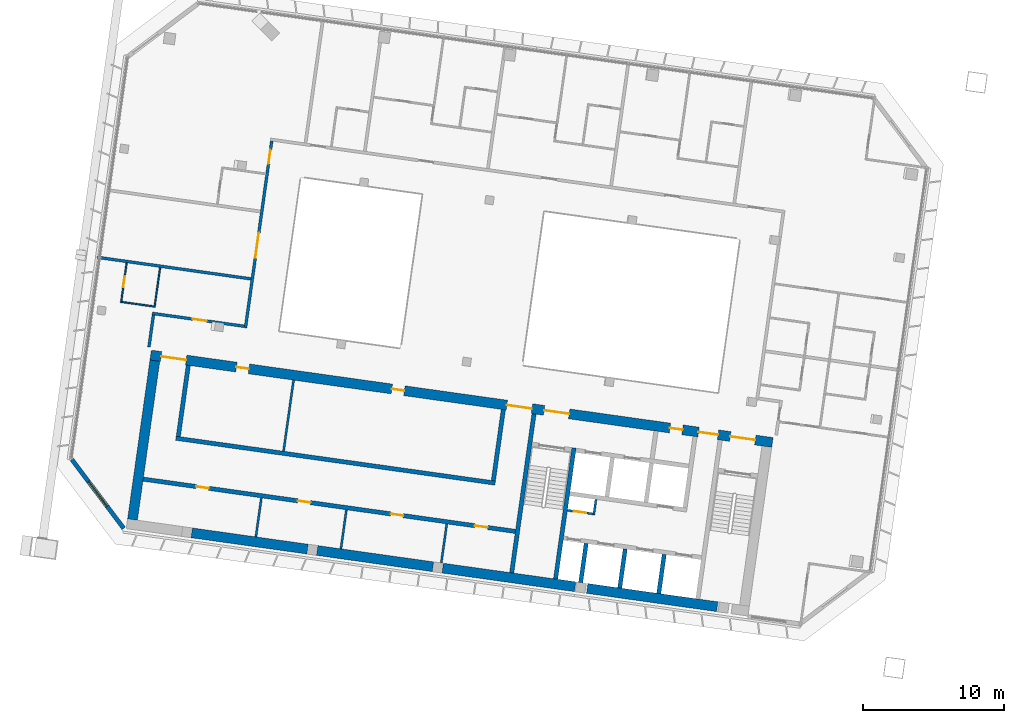
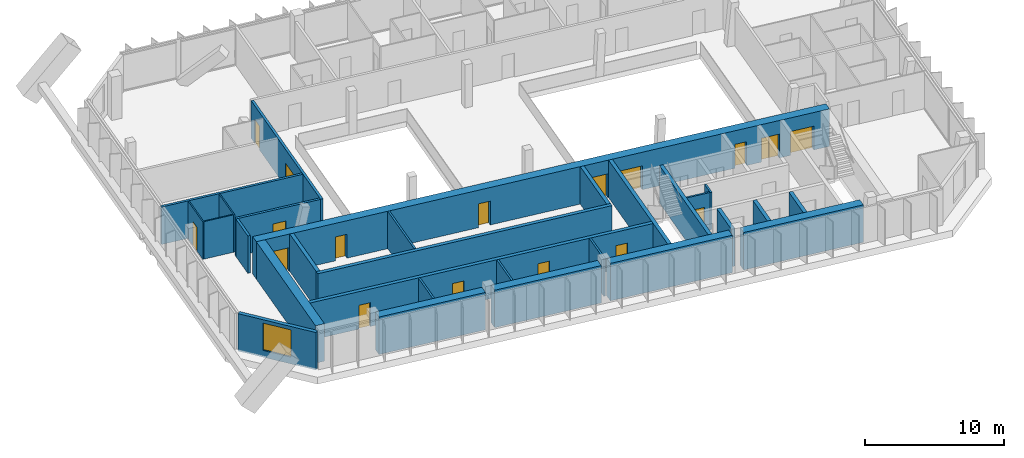
# One storey, part 16 of 29: 29 walls, 17 doors, 1 window, 18 openings.
"""IFC4 building model written with IfcOpenShell, lengths in metres."""

from ifc_helpers import new_model, si_unit, direction, frame, frame_2d, origin, place, context, subcontext, project, spatial, rectangle, extrude, material, layer, layer_set, type_object, element, fill, save


model = new_model("IFC4")

# Units and contexts
model_context = context("Model", 3, precision=1e-05, world=origin(), true_north=direction((0.0, 1.0)))
body_context = subcontext(model_context, "Body", "Model", "MODEL_VIEW")
ifc_project = project(units=[si_unit("LENGTHUNIT", "METRE"), si_unit("AREAUNIT", "SQUARE_METRE"), si_unit("VOLUMEUNIT", "CUBIC_METRE"), si_unit("PLANEANGLEUNIT", "RADIAN"), si_unit("MASSUNIT", "GRAM", prefix="KILO")], contexts=[model_context])

# Site, building, storey
site_placement = place(None, origin())
site = spatial("IfcSite", under=ifc_project, at=site_placement, CompositionType="ELEMENT")
building_placement = place(site_placement, origin())
building = spatial("IfcBuilding", under=site, at=building_placement, Name="Mirante Cascada Hotel Towers", CompositionType="ELEMENT")
storey_placement = place(building_placement, frame((0.0, 0.0, 206.8)))
storey = spatial("IfcBuildingStorey", under=building, at=storey_placement, Name="L49", CompositionType="ELEMENT", Elevation=206.8)

# Wall, opening, door
ifc_material_1 = material(Name="Fire-rated plasterboard on metal studs")
ifc_layer_1 = layer(ifc_material_1, 0.2)
ifc_layer_set_1 = layer_set([ifc_layer_1], Name="Compartment wall 200 EI 120")
wall_type_1 = type_object("IfcWallType", Name="Compartment wall 200 EI 120", PredefinedType="PARTITIONING", material=ifc_layer_set_1)
wall_1_placement = place(storey_placement, frame((-73.0547, 0.6175, 0.0), z_axis=(0.0, 0.0, 1.0), x_axis=(-0.990267, 0.139181, 0.0)))
wall_1 = element("IfcWall", 1, at=wall_1_placement, inside=storey, type_object=wall_type_1, Name="Wall 1-L49-04", PredefinedType="PARTITIONING", context=body_context, shape_type="SweptSolid", body=[
    extrude(rectangle(XDim=6.6, YDim=0.2, at=frame_2d((3.3, 0.0))), origin(), (0.0, 0.0, 1.0), 3.3),
])
opening_1_placement = place(wall_1_placement, frame((2.7, 0.0, 0.0)))
opening_1 = element("IfcOpeningElement", 2, at=opening_1_placement, cuts=wall_1, Name="Opening D1-L49-04", PredefinedType="OPENING", context=body_context, shape_type="SweptSolid", body=[
    extrude(rectangle(XDim=1.0, YDim=2.1, at=frame_2d((0.5, 1.05))), frame((0.0, 0.1, 0.0), z_axis=(0.0, -1.0, 0.0), x_axis=(1.0, 0.0, 0.0)), (0.0, 0.0, 1.0), 0.2),
])
ifc_material_2 = material(Name="Fire-rated timber door leaf", Category="wood")
door_type_1 = type_object("IfcDoorType", Name="Entrance door DG1 1000x2100 EI 60", OperationType="SINGLE_SWING_LEFT", PredefinedType="DOOR", material=ifc_material_2)
door_1_placement = place(opening_1_placement, origin())
door_1 = element("IfcDoor", 3, at=door_1_placement, inside=storey, type_object=door_type_1, Name="Door D1-L49-04", OperationType="SINGLE_SWING_LEFT", OverallHeight=2.1, OverallWidth=1.0, PredefinedType="DOOR", context=body_context, shape_type="SweptSolid", body=[
    extrude(rectangle(XDim=1.0, YDim=2.1, at=frame_2d((0.5, 1.05))), frame((0.0, 0.025, 0.0), z_axis=(0.0, -1.0, 0.0), x_axis=(1.0, 0.0, 0.0)), (0.0, 0.0, 1.0), 0.05),
])
fill(opening_1, door_1)

# Wall
wall_2_placement = place(storey_placement, frame((-83.4745, 5.5153, 0.0), z_axis=(0.0, 0.0, 1.0), x_axis=(0.9902682, -0.1391721, 0.0)))
element("IfcWall", 4, at=wall_2_placement, inside=storey, type_object=wall_type_1, Name="Wall 1-L49-09", PredefinedType="PARTITIONING", context=body_context, shape_type="SweptSolid", body=[
    extrude(rectangle(XDim=11.0001, YDim=0.2, at=frame_2d((5.5, 0.0))), origin(), (0.0, 0.0, 1.0), 3.3),
])

# Wall, openings, doors
wall_3_placement = place(storey_placement, frame((-72.9696, 0.5046, 0.0), z_axis=(0.0, 0.0, 1.0), x_axis=(0.1391716, 0.9902683, 0.0)))
wall_3 = element("IfcWall", 5, at=wall_3_placement, inside=storey, type_object=wall_type_1, Name="Wall 1-L49-46", PredefinedType="PARTITIONING", context=body_context, shape_type="SweptSolid", body=[
    extrude(rectangle(XDim=13.4, YDim=0.2, at=frame_2d((6.7, 0.0))), origin(), (0.0, 0.0, 1.0), 3.3),
])
opening_2_placement = place(wall_3_placement, frame((5.0167, 0.0, 0.0)))
opening_2 = element("IfcOpeningElement", 6, at=opening_2_placement, cuts=wall_3, Name="Opening D1-L49-29", PredefinedType="OPENING", context=body_context, shape_type="SweptSolid", body=[
    extrude(rectangle(XDim=1.8, YDim=2.1, at=frame_2d((0.9, 1.05))), frame((0.0, 0.1, 0.0), z_axis=(0.0, -1.0, 0.0), x_axis=(1.0, 0.0, 0.0)), (0.0, 0.0, 1.0), 0.2),
])
opening_3_placement = place(wall_3_placement, frame((11.7667, 0.0, 0.0)))
opening_3 = element("IfcOpeningElement", 7, at=opening_3_placement, cuts=wall_3, Name="Opening D1-L49-30", PredefinedType="OPENING", context=body_context, shape_type="SweptSolid", body=[
    extrude(rectangle(XDim=1.0, YDim=2.1, at=frame_2d((0.5, 1.05))), frame((0.0, 0.1, 0.0), z_axis=(0.0, -1.0, 0.0), x_axis=(1.0, 0.0, 0.0)), (0.0, 0.0, 1.0), 0.2),
])
door_2_placement = place(opening_3_placement, origin())
door_2 = element("IfcDoor", 8, at=door_2_placement, inside=storey, type_object=door_type_1, Name="Door D1-L49-30", OperationType="SINGLE_SWING_LEFT", OverallHeight=2.1, OverallWidth=1.0, PredefinedType="DOOR", context=body_context, shape_type="SweptSolid", body=[
    extrude(rectangle(XDim=1.0, YDim=2.1, at=frame_2d((0.5, 1.05))), frame((0.0, 0.025, 0.0), z_axis=(0.0, -1.0, 0.0), x_axis=(1.0, 0.0, 0.0)), (0.0, 0.0, 1.0), 0.05),
])
fill(opening_3, door_2)
ifc_material_3 = material(Name="Fire-rated timber door leaf", Category="wood")
door_type_2 = type_object("IfcDoorType", Name="Suite double door DG2 1800x2100 EI 60", OperationType="DOUBLE_DOOR_SINGLE_SWING", PredefinedType="DOOR", material=ifc_material_3)
door_3_placement = place(opening_2_placement, origin())
door_3 = element("IfcDoor", 9, at=door_3_placement, inside=storey, type_object=door_type_2, Name="Door D1-L49-29", OperationType="DOUBLE_DOOR_SINGLE_SWING", OverallHeight=2.1, OverallWidth=1.8, PredefinedType="DOOR", context=body_context, shape_type="SweptSolid", body=[
    extrude(rectangle(XDim=0.895, YDim=2.1, at=frame_2d((0.4475, 1.05))), frame((0.0, 0.025, 0.0), z_axis=(0.0, -1.0, 0.0), x_axis=(1.0, 0.0, 0.0)), (0.0, 0.0, 1.0), 0.05),
    extrude(rectangle(XDim=0.895, YDim=2.1, at=frame_2d((1.3525, 1.05))), frame((0.0, 0.025, 0.0), z_axis=(0.0, -1.0, 0.0), x_axis=(1.0, 0.0, 0.0)), (0.0, 0.0, 1.0), 0.05),
])
fill(opening_2, door_3)

# Walls
wall_4_placement = place(storey_placement, frame((-79.8255, -0.8545, 0.0), z_axis=(0.0, 0.0, 1.0), x_axis=(0.1391749, 0.9902678, 0.0)))
element("IfcWall", 10, at=wall_4_placement, inside=storey, type_object=wall_type_1, Name="Wall 1-L49-48", PredefinedType="PARTITIONING", context=body_context, shape_type="SweptSolid", body=[
    extrude(rectangle(XDim=2.3, YDim=0.2, at=frame_2d((1.15, 0.0))), origin(), (0.0, 0.0, 1.0), 3.3),
])
ifc_material_4 = material(Name="Masonry block", Category="masonry")
ifc_layer_2 = layer(ifc_material_4, 0.15)
ifc_layer_set_2 = layer_set([ifc_layer_2], Name="Core room partition 150 block EI 30")
wall_type_2 = type_object("IfcWallType", Name="Core room partition 150 block EI 30", PredefinedType="PARTITIONING", material=ifc_layer_set_2)
wall_5_placement = place(storey_placement, frame((-48.2295, -12.793, 0.0), z_axis=(0.0, 0.0, 1.0), x_axis=(0.1391935, 0.9902652, 0.0)))
element("IfcWall", 11, at=wall_5_placement, inside=storey, type_object=wall_type_2, Name="Core wall partition T1 L49 2", PredefinedType="PARTITIONING", context=body_context, shape_type="SweptSolid", body=[
    extrude(rectangle(XDim=1.1251, YDim=0.15, at=frame_2d((0.5626, 0.0))), origin(), (0.0, 0.0, 1.0), 3.3),
])

# Wall, opening, door
wall_6_placement = place(storey_placement, frame((-48.2933, -12.7083, 0.0), z_axis=(0.0, 0.0, 1.0), x_axis=(-0.990268, 0.1391734, 0.0)))
wall_6 = element("IfcWall", 12, at=wall_6_placement, inside=storey, type_object=wall_type_2, Name="Core wall partition T1 L49 3", PredefinedType="PARTITIONING", context=body_context, shape_type="SweptSolid", body=[
    extrude(rectangle(XDim=1.8251, YDim=0.15, at=frame_2d((0.9126, 0.0))), origin(), (0.0, 0.0, 1.0), 3.3),
])
opening_4_placement = place(wall_6_placement, frame((0.4625, 0.0, 0.0)))
opening_4 = element("IfcOpeningElement", 13, at=opening_4_placement, cuts=wall_6, Name="Opening D1-49-C15", PredefinedType="OPENING", context=body_context, shape_type="SweptSolid", body=[
    extrude(rectangle(XDim=0.9, YDim=2.1, at=frame_2d((0.45, 1.05))), frame((0.0, 0.075, 0.0), z_axis=(0.0, -1.0, 0.0), x_axis=(1.0, 0.0, 0.0)), (0.0, 0.0, 1.0), 0.15),
])
ifc_material_5 = material(Name="Hollow metal fire door leaf")
door_type_3 = type_object("IfcDoorType", Name="Fire door 900x2100 FD60", OperationType="NOTDEFINED", PredefinedType="DOOR", material=ifc_material_5)
door_4_placement = place(opening_4_placement, origin())
door_4 = element("IfcDoor", 14, at=door_4_placement, inside=storey, type_object=door_type_3, Name="Riser door T1 L49 15", OperationType="SINGLE_SWING_LEFT", OverallHeight=2.1, OverallWidth=0.9, PredefinedType="DOOR", context=body_context, shape_type="SweptSolid", body=[
    extrude(rectangle(XDim=0.9, YDim=2.1, at=frame_2d((0.45, 1.05))), frame((0.0, 0.025, 0.0), z_axis=(0.0, -1.0, 0.0), x_axis=(1.0, 0.0, 0.0)), (0.0, 0.0, 1.0), 0.05),
])
fill(opening_4, door_4)

# Walls
for number, where, z_axis, x_axis, name in (
    (15, (-59.0582, -16.194, 0.0), (0.0, 0.0, 1.0), (0.139181, 0.990267, 0.0), "Core wall partition T1 L49 5"),
    (16, (-66.1881, -15.192, 0.0), (0.0, 0.0, 1.0), (0.139141, 0.9902726, 0.0), "Core wall partition T1 L49 6"),
    (17, (-72.2288, -14.343, 0.0), (0.0, 0.0, 1.0), (0.139181, 0.990267, 0.0), "Core wall partition T1 L49 7"),
):
    element("IfcWall", number, at=place(storey_placement, frame(where, z_axis=z_axis, x_axis=x_axis)), inside=storey, type_object=wall_type_2, Name=name, PredefinedType="PARTITIONING", context=body_context, shape_type="SweptSolid", body=[
        extrude(rectangle(XDim=2.8, YDim=0.15, at=frame_2d((1.4, 0.0))), origin(), (0.0, 0.0, 1.0), 3.3),
    ])
wall_7_placement = place(storey_placement, frame((-70.2627, -8.2574, 0.0), z_axis=(0.0, 0.0, 1.0), x_axis=(0.1391755, 0.9902677, 0.0)))
element("IfcWall", 18, at=wall_7_placement, inside=storey, type_object=wall_type_2, Name="Core wall partition T1 L49 8", PredefinedType="PARTITIONING", context=body_context, shape_type="SweptSolid", body=[
    extrude(rectangle(XDim=5.1, YDim=0.15, at=frame_2d((2.55, 0.0))), origin(), (0.0, 0.0, 1.0), 3.3),
])

# Wall, openings, doors
ifc_material_6 = material(Name="Masonry block", Category="masonry")
ifc_layer_3 = layer(ifc_material_6, 0.3)
ifc_layer_set_3 = layer_set([ifc_layer_3], Name="Core wall 300 block EI 120")
wall_type_3 = type_object("IfcWallType", Name="Core wall 300 block EI 120", PredefinedType="PARTITIONING", material=ifc_layer_set_3)
wall_8_placement = place(storey_placement, frame((-53.7953, -13.9547, 0.0), z_axis=(0.0, 0.0, 1.0), x_axis=(-0.9902677, 0.1391758, 0.0)))
wall_8 = element("IfcWall", 19, at=wall_8_placement, inside=storey, type_object=wall_type_3, Name="Core wall partition T1 L49 4", PredefinedType="PARTITIONING", context=body_context, shape_type="SweptSolid", body=[
    extrude(rectangle(XDim=26.7001, YDim=0.3, at=frame_2d((13.35, 0.0))), origin(), (0.0, 0.0, 1.0), 3.3),
])
opening_5_placement = place(wall_8_placement, frame((2.0, 0.0, 0.0)))
opening_5 = element("IfcOpeningElement", 20, at=opening_5_placement, cuts=wall_8, Name="Opening D1-49-C17", PredefinedType="OPENING", context=body_context, shape_type="SweptSolid", body=[
    extrude(rectangle(XDim=0.9, YDim=2.1, at=frame_2d((0.45, 1.05))), frame((0.0, 0.15, 0.0), z_axis=(0.0, -1.0, 0.0), x_axis=(1.0, 0.0, 0.0)), (0.0, 0.0, 1.0), 0.3),
])
opening_6_placement = place(wall_8_placement, frame((8.05, 0.0, 0.0)))
opening_6 = element("IfcOpeningElement", 21, at=opening_6_placement, cuts=wall_8, Name="Opening D1-49-C18", PredefinedType="OPENING", context=body_context, shape_type="SweptSolid", body=[
    extrude(rectangle(XDim=0.9, YDim=2.1, at=frame_2d((0.45, 1.05))), frame((0.0, 0.15, 0.0), z_axis=(0.0, -1.0, 0.0), x_axis=(1.0, 0.0, 0.0)), (0.0, 0.0, 1.0), 0.3),
])
opening_7_placement = place(wall_8_placement, frame((14.7, 0.0, 0.0)))
opening_7 = element("IfcOpeningElement", 22, at=opening_7_placement, cuts=wall_8, Name="Opening D1-49-C19", PredefinedType="OPENING", context=body_context, shape_type="SweptSolid", body=[
    extrude(rectangle(XDim=0.9, YDim=2.1, at=frame_2d((0.45, 1.05))), frame((0.0, 0.15, 0.0), z_axis=(0.0, -1.0, 0.0), x_axis=(1.0, 0.0, 0.0)), (0.0, 0.0, 1.0), 0.3),
])
opening_8_placement = place(wall_8_placement, frame((22.0, 0.0, 0.0)))
opening_8 = element("IfcOpeningElement", 23, at=opening_8_placement, cuts=wall_8, Name="Opening D1-49-C20", PredefinedType="OPENING", context=body_context, shape_type="SweptSolid", body=[
    extrude(rectangle(XDim=0.9, YDim=2.1, at=frame_2d((0.45, 1.05))), frame((0.0, 0.15, 0.0), z_axis=(0.0, -1.0, 0.0), x_axis=(1.0, 0.0, 0.0)), (0.0, 0.0, 1.0), 0.3),
])
door_5_placement = place(opening_5_placement, origin())
door_5 = element("IfcDoor", 24, at=door_5_placement, inside=storey, type_object=door_type_3, Name="Room door T1 L49 17", OperationType="SINGLE_SWING_RIGHT", OverallHeight=2.1, OverallWidth=0.9, PredefinedType="DOOR", context=body_context, shape_type="SweptSolid", body=[
    extrude(rectangle(XDim=0.9, YDim=2.1, at=frame_2d((0.45, 1.05))), frame((0.0, 0.025, 0.0), z_axis=(0.0, -1.0, 0.0), x_axis=(1.0, 0.0, 0.0)), (0.0, 0.0, 1.0), 0.05),
])
fill(opening_5, door_5)
door_6_placement = place(opening_6_placement, origin())
door_6 = element("IfcDoor", 25, at=door_6_placement, inside=storey, type_object=door_type_3, Name="Room door T1 L49 18", OperationType="SINGLE_SWING_RIGHT", OverallHeight=2.1, OverallWidth=0.9, PredefinedType="DOOR", context=body_context, shape_type="SweptSolid", body=[
    extrude(rectangle(XDim=0.9, YDim=2.1, at=frame_2d((0.45, 1.05))), frame((0.0, 0.025, 0.0), z_axis=(0.0, -1.0, 0.0), x_axis=(1.0, 0.0, 0.0)), (0.0, 0.0, 1.0), 0.05),
])
fill(opening_6, door_6)
door_7_placement = place(opening_7_placement, origin())
door_7 = element("IfcDoor", 26, at=door_7_placement, inside=storey, type_object=door_type_3, Name="Room door T1 L49 19", OperationType="SINGLE_SWING_LEFT", OverallHeight=2.1, OverallWidth=0.9, PredefinedType="DOOR", context=body_context, shape_type="SweptSolid", body=[
    extrude(rectangle(XDim=0.9, YDim=2.1, at=frame_2d((0.45, 1.05))), frame((0.0, 0.025, 0.0), z_axis=(0.0, -1.0, 0.0), x_axis=(1.0, 0.0, 0.0)), (0.0, 0.0, 1.0), 0.05),
])
fill(opening_7, door_7)
door_8_placement = place(opening_8_placement, origin())
door_8 = element("IfcDoor", 27, at=door_8_placement, inside=storey, type_object=door_type_3, Name="Room door T1 L49 20", OperationType="SINGLE_SWING_LEFT", OverallHeight=2.1, OverallWidth=0.9, PredefinedType="DOOR", context=body_context, shape_type="SweptSolid", body=[
    extrude(rectangle(XDim=0.9, YDim=2.1, at=frame_2d((0.45, 1.05))), frame((0.0, 0.025, 0.0), z_axis=(0.0, -1.0, 0.0), x_axis=(1.0, 0.0, 0.0)), (0.0, 0.0, 1.0), 0.05),
])
fill(opening_8, door_8)

# Walls
ifc_material_7 = material(Name="Plasterboard on metal studs")
ifc_layer_4 = layer(ifc_material_7, 0.1)
ifc_layer_set_4 = layer_set([ifc_layer_4], Name="Partition 100")
wall_type_4 = type_object("IfcWallType", Name="Partition 100", PredefinedType="PARTITIONING", material=ifc_layer_set_4)
wall_9_placement = place(storey_placement, frame((-81.749, 2.3443, 0.0), z_axis=(0.0, 0.0, 1.0), x_axis=(0.9902678, -0.1391749, 0.0)))
element("IfcWall", 28, at=wall_9_placement, inside=storey, type_object=wall_type_4, Name="Wall 1-L49-05", PredefinedType="PARTITIONING", context=body_context, shape_type="SweptSolid", body=[
    extrude(rectangle(XDim=2.3, YDim=0.1, at=frame_2d((1.15, 0.0))), origin(), (0.0, 0.0, 1.0), 3.3),
])
wall_10_placement = place(storey_placement, frame((-79.0322, 4.79, 0.0), z_axis=(0.0, 0.0, 1.0), x_axis=(-0.1391613, -0.9902697, 0.0)))
element("IfcWall", 29, at=wall_10_placement, inside=storey, type_object=wall_type_4, Name="Wall 1-L49-49", PredefinedType="PARTITIONING", context=body_context, shape_type="SweptSolid", body=[
    extrude(rectangle(XDim=2.8499, YDim=0.1, at=frame_2d((1.425, 0.0))), origin(), (0.0, 0.0, 1.0), 3.3),
])

# Wall, opening, door
wall_11_placement = place(storey_placement, frame((-81.8055, 2.3018, 0.0), z_axis=(0.0, 0.0, 1.0), x_axis=(0.1391909, 0.9902656, 0.0)))
wall_11 = element("IfcWall", 30, at=wall_11_placement, inside=storey, type_object=wall_type_4, Name="Wall 1-L49-50", PredefinedType="PARTITIONING", context=body_context, shape_type="SweptSolid", body=[
    extrude(rectangle(XDim=2.85, YDim=0.1, at=frame_2d((1.425, 0.0))), origin(), (0.0, 0.0, 1.0), 3.3),
])
opening_9_placement = place(wall_11_placement, frame((1.1, 0.0, 0.0)))
opening_9 = element("IfcOpeningElement", 31, at=opening_9_placement, cuts=wall_11, Name="Opening D1-L49-32", PredefinedType="OPENING", context=body_context, shape_type="SweptSolid", body=[
    extrude(rectangle(XDim=0.8, YDim=2.1, at=frame_2d((0.4, 1.05))), frame((0.0, 0.05, 0.0), z_axis=(0.0, -1.0, 0.0), x_axis=(1.0, 0.0, 0.0)), (0.0, 0.0, 1.0), 0.1),
])
ifc_material_8 = material(Name="Timber door leaf", Category="wood")
door_type_4 = type_object("IfcDoorType", Name="Bathroom door DG4 800x2100", OperationType="SINGLE_SWING_LEFT", PredefinedType="DOOR", material=ifc_material_8)
door_9_placement = place(opening_9_placement, frame((0.8, 0.0, 0.0), z_axis=(0.0, 0.0, 1.0), x_axis=(-1.0, 0.0, 0.0)))
door_9 = element("IfcDoor", 32, at=door_9_placement, inside=storey, type_object=door_type_4, Name="Door D1-L49-32", OperationType="SINGLE_SWING_RIGHT", OverallHeight=2.1, OverallWidth=0.8, PredefinedType="DOOR", context=body_context, shape_type="SweptSolid", body=[
    extrude(rectangle(XDim=0.8, YDim=2.1, at=frame_2d((0.4, 1.05))), frame((0.0, 0.025, 0.0), z_axis=(0.0, -1.0, 0.0), x_axis=(1.0, 0.0, 0.0)), (0.0, 0.0, 1.0), 0.05),
])
fill(opening_9, door_9)

# Wall, opening, window
ifc_material_9 = material(Name="Precast concrete C40/50", Category="concrete")
ifc_layer_5 = layer(ifc_material_9, 0.3)
ifc_layer_set_5 = layer_set([ifc_layer_5], Name="Precast concrete C40/50 cladding wall 300")
wall_type_5 = type_object("IfcWallType", Name="Precast concrete C40/50 cladding wall 300", PredefinedType="STANDARD", material=ifc_layer_set_5)
wall_12_placement = place(storey_placement, frame((-81.6175, -13.7366, 0.0), z_axis=(0.0, 0.0, 1.0), x_axis=(-0.6018141, 0.7986362, 0.0)))
wall_12 = element("IfcWall", 33, at=wall_12_placement, inside=storey, type_object=wall_type_5, Name="Corner cladding wall T1 L49 rear outer", PredefinedType="STANDARD", context=body_context, shape_type="SweptSolid", body=[
    extrude(rectangle(XDim=6.1157, YDim=0.3, at=frame_2d((3.0578, 0.0))), origin(), (0.0, 0.0, 1.0), 3.3),
])
opening_10_placement = place(wall_12_placement, frame((1.9578, 0.0, 0.6)))
opening_10 = element("IfcOpeningElement", 34, at=opening_10_placement, cuts=wall_12, Name="Opening W1-49-02", PredefinedType="OPENING", context=body_context, shape_type="SweptSolid", body=[
    extrude(rectangle(XDim=2.2, YDim=2.4, at=frame_2d((1.1, 1.2))), frame((0.0, 0.15, 0.0), z_axis=(0.0, -1.0, 0.0), x_axis=(1.0, 0.0, 0.0)), (0.0, 0.0, 1.0), 0.3),
])
ifc_material_10 = material(Name="Aluminium frame with clear double glazing", Category="aluminium")
window_type = type_object("IfcWindowType", Name="Corner suite window 2200x2400", PartitioningType="DOUBLE_PANEL_VERTICAL", PredefinedType="WINDOW", material=ifc_material_10)
window_placement = place(opening_10_placement, origin())
window = element("IfcWindow", 35, at=window_placement, inside=storey, type_object=window_type, Name="Window W1-49-02", OverallHeight=2.4, OverallWidth=2.2, PartitioningType="SINGLE_PANEL", PredefinedType="WINDOW", context=body_context, shape_type="SweptSolid", body=[
    extrude(rectangle(XDim=2.2, YDim=2.4, at=frame_2d((1.1, 1.2))), frame((0.0, 0.03, 0.0), z_axis=(0.0, -1.0, 0.0), x_axis=(1.0, 0.0, 0.0)), (0.0, 0.0, 1.0), 0.06),
])
fill(opening_10, window)

# Walls
ifc_material_11 = material(Name="Concrete C50/60", Category="concrete")
ifc_layer_6 = layer(ifc_material_11, 0.3)
ifc_layer_set_6 = layer_set([ifc_layer_6], Name="RC core wall 300 C50/60")
wall_type_6 = type_object("IfcWallType", Name="RC core wall 300 C50/60", PredefinedType="SHEAR", material=ifc_layer_set_6)
wall_13_placement = place(storey_placement, frame((-50.938, -17.3352, 0.0), z_axis=(0.0, 0.0, 1.0), x_axis=(0.1391706, 0.9902684, 0.0)))
element("IfcWall", 36, at=wall_13_placement, inside=storey, type_object=wall_type_6, Name="Core wall T1:L49:6", PredefinedType="SHEAR", context=body_context, shape_type="SweptSolid", body=[
    extrude(rectangle(XDim=9.4, YDim=0.3, at=frame_2d((4.7, 0.0))), origin(), (0.0, 0.0, 1.0), 3.3),
])
wall_14_placement = place(storey_placement, frame((-54.0574, -16.8968, 0.0), z_axis=(0.0, 0.0, 1.0), x_axis=(0.1391761, 0.9902677, 0.0)))
element("IfcWall", 37, at=wall_14_placement, inside=storey, type_object=wall_type_6, Name="Core wall T1:L49:7", PredefinedType="SHEAR", context=body_context, shape_type="SweptSolid", body=[
    extrude(rectangle(XDim=11.3999, YDim=0.3, at=frame_2d((5.7, 0.0))), origin(), (0.0, 0.0, 1.0), 3.3),
])
wall_15_placement = place(storey_placement, frame((-43.61, -18.3651, 0.0), z_axis=(0.0, 0.0, 1.0), x_axis=(0.1391459, 0.9902719, 0.0)))
element("IfcWall", 38, at=wall_15_placement, inside=storey, type_object=wall_type_6, Name="Core wall T1:L49:13", PredefinedType="SHEAR", context=body_context, shape_type="SweptSolid", body=[
    extrude(rectangle(XDim=2.7999, YDim=0.3, at=frame_2d((1.4, 0.0))), origin(), (0.0, 0.0, 1.0), 3.3),
])
wall_16_placement = place(storey_placement, frame((-46.3828, -17.9754, 0.0), z_axis=(0.0, 0.0, 1.0), x_axis=(0.139181, 0.990267, 0.0)))
element("IfcWall", 39, at=wall_16_placement, inside=storey, type_object=wall_type_6, Name="Core wall T1:L49:14", PredefinedType="SHEAR", context=body_context, shape_type="SweptSolid", body=[
    extrude(rectangle(XDim=2.8, YDim=0.3, at=frame_2d((1.4, 0.0))), origin(), (0.0, 0.0, 1.0), 3.3),
])
wall_17_placement = place(storey_placement, frame((-49.1555, -17.5857, 0.0), z_axis=(0.0, 0.0, 1.0), x_axis=(0.1391459, 0.9902719, 0.0)))
element("IfcWall", 40, at=wall_17_placement, inside=storey, type_object=wall_type_6, Name="Core wall T1:L49:15", PredefinedType="SHEAR", context=body_context, shape_type="SweptSolid", body=[
    extrude(rectangle(XDim=2.7999, YDim=0.3, at=frame_2d((1.4, 0.0))), origin(), (0.0, 0.0, 1.0), 3.3),
])
wall_18_placement = place(storey_placement, frame((-55.2315, -10.5214, 0.0), z_axis=(0.0, 0.0, 1.0), x_axis=(-0.9902678, 0.1391749, 0.0)))
element("IfcWall", 41, at=wall_18_placement, inside=storey, type_object=wall_type_6, Name="Core wall T1:L49:26", PredefinedType="SHEAR", context=body_context, shape_type="SweptSolid", body=[
    extrude(rectangle(XDim=22.9, YDim=0.3, at=frame_2d((11.45, 0.0))), origin(), (0.0, 0.0, 1.0), 3.3),
])
for number, where, z_axis, x_axis, name in (
    (42, (-55.3592, -10.352, 0.0), (0.0, 0.0, 1.0), (0.1391755, 0.9902677, 0.0), "Core wall T1:L49:27"),
    (43, (-77.7392, -7.2067, 0.0), (0.0, 0.0, 1.0), (0.1391755, 0.9902677, 0.0), "Core wall T1:L49:28"),
):
    element("IfcWall", number, at=place(storey_placement, frame(where, z_axis=z_axis, x_axis=x_axis)), inside=storey, type_object=wall_type_6, Name=name, PredefinedType="SHEAR", context=body_context, shape_type="SweptSolid", body=[
        extrude(rectangle(XDim=5.1, YDim=0.3, at=frame_2d((2.55, 0.0))), origin(), (0.0, 0.0, 1.0), 3.3),
    ])
ifc_material_12 = material(Name="Concrete C50/60", Category="concrete")
ifc_layer_7 = layer(ifc_material_12, 0.7)
ifc_layer_set_7 = layer_set([ifc_layer_7], Name="RC core wall 700 C50/60")
wall_type_7 = type_object("IfcWallType", Name="RC core wall 700 C50/60", PredefinedType="SHEAR", material=ifc_layer_set_7)
wall_19_placement = place(storey_placement, frame((-39.4589, -19.302, 0.0), z_axis=(0.0, 0.0, 1.0), x_axis=(-0.9902681, 0.139173, 0.0)))
element("IfcWall", 44, at=wall_19_placement, inside=storey, type_object=wall_type_7, Name="Core wall T1:L49:1.2", PredefinedType="SHEAR", context=body_context, shape_type="SweptSolid", body=[
    extrude(rectangle(XDim=9.3229, YDim=0.7, at=frame_2d((4.6614, 0.0))), origin(), (0.0, 0.0, 1.0), 3.3),
])
wall_20_placement = place(storey_placement, frame((-49.5552, -17.883, 0.0), z_axis=(0.0, 0.0, 1.0), x_axis=(-0.9902686, 0.1391696, 0.0)))
element("IfcWall", 45, at=wall_20_placement, inside=storey, type_object=wall_type_7, Name="Core wall T1:L49:1.3", PredefinedType="SHEAR", context=body_context, shape_type="SweptSolid", body=[
    extrude(rectangle(XDim=9.4956, YDim=0.7, at=frame_2d((4.7478, 0.0))), origin(), (0.0, 0.0, 1.0), 3.3),
])
for number, where, z_axis, x_axis, name in (
    (46, (-59.6516, -16.4641, 0.0), (0.0, 0.0, 1.0), (-0.990267, 0.139181, 0.0), "Core wall T1:L49:1.4"),
    (47, (-68.564, -15.2115, 0.0), (0.0, 0.0, 1.0), (-0.9902686, 0.1391692, 0.0), "Core wall T1:L49:1.5"),
):
    element("IfcWall", number, at=place(storey_placement, frame(where, z_axis=z_axis, x_axis=x_axis)), inside=storey, type_object=wall_type_7, Name=name, PredefinedType="SHEAR", context=body_context, shape_type="SweptSolid", body=[
        extrude(rectangle(XDim=8.3, YDim=0.7, at=frame_2d((4.15, 0.0))), origin(), (0.0, 0.0, 1.0), 3.3),
    ])

# Wall, openings, doors
wall_21_placement = place(storey_placement, frame((-35.538, -7.6341, 0.0), z_axis=(0.0, 0.0, 1.0), x_axis=(-0.9902682, 0.1391725, 0.0)))
wall_21 = element("IfcWall", 48, at=wall_21_placement, inside=storey, type_object=wall_type_7, Name="Core wall T1:L49:2", PredefinedType="SHEAR", context=body_context, shape_type="SweptSolid", body=[
    extrude(rectangle(XDim=44.6, YDim=0.7, at=frame_2d((22.3, 0.0))), origin(), (0.0, 0.0, 1.0), 3.3),
])
opening_11_placement = place(wall_21_placement, frame((1.225, 0.0, 0.0)))
opening_11 = element("IfcOpeningElement", 49, at=opening_11_placement, cuts=wall_21, Name="Opening D1-49-C08", PredefinedType="OPENING", context=body_context, shape_type="SweptSolid", body=[
    extrude(rectangle(XDim=1.8, YDim=2.1, at=frame_2d((0.9, 1.05))), frame((0.0, 0.35, 0.0), z_axis=(0.0, -1.0, 0.0), x_axis=(1.0, 0.0, 0.0)), (0.0, 0.0, 1.0), 0.7),
])
opening_12_placement = place(wall_21_placement, frame((14.575, 0.0, 0.0)))
opening_12 = element("IfcOpeningElement", 50, at=opening_12_placement, cuts=wall_21, Name="Opening D1-49-C10", PredefinedType="OPENING", context=body_context, shape_type="SweptSolid", body=[
    extrude(rectangle(XDim=1.8, YDim=2.1, at=frame_2d((0.9, 1.05))), frame((0.0, 0.35, 0.0), z_axis=(0.0, -1.0, 0.0), x_axis=(1.0, 0.0, 0.0)), (0.0, 0.0, 1.0), 0.7),
])
opening_13_placement = place(wall_21_placement, frame((3.9, 0.0, 0.0)))
opening_13 = element("IfcOpeningElement", 51, at=opening_13_placement, cuts=wall_21, Name="Opening D1-49-C11", PredefinedType="OPENING", context=body_context, shape_type="SweptSolid", body=[
    extrude(rectangle(XDim=1.4, YDim=2.1, at=frame_2d((0.7, 1.05))), frame((0.0, 0.35, 0.0), z_axis=(0.0, -1.0, 0.0), x_axis=(1.0, 0.0, 0.0)), (0.0, 0.0, 1.0), 0.7),
])
opening_14_placement = place(wall_21_placement, frame((17.25, 0.0, 0.0)))
opening_14 = element("IfcOpeningElement", 52, at=opening_14_placement, cuts=wall_21, Name="Opening D1-49-C12", PredefinedType="OPENING", context=body_context, shape_type="SweptSolid", body=[
    extrude(rectangle(XDim=1.8, YDim=2.1, at=frame_2d((0.9, 1.05))), frame((0.0, 0.35, 0.0), z_axis=(0.0, -1.0, 0.0), x_axis=(1.0, 0.0, 0.0)), (0.0, 0.0, 1.0), 0.7),
])
opening_15_placement = place(wall_21_placement, frame((42.05, 0.0, 0.0)))
opening_15 = element("IfcOpeningElement", 53, at=opening_15_placement, cuts=wall_21, Name="Opening D1-49-C13", PredefinedType="OPENING", context=body_context, shape_type="SweptSolid", body=[
    extrude(rectangle(XDim=1.8, YDim=2.1, at=frame_2d((0.9, 1.05))), frame((0.0, 0.35, 0.0), z_axis=(0.0, -1.0, 0.0), x_axis=(1.0, 0.0, 0.0)), (0.0, 0.0, 1.0), 0.7),
])
opening_16_placement = place(wall_21_placement, frame((6.45, 0.0, 0.0)))
opening_16 = element("IfcOpeningElement", 54, at=opening_16_placement, cuts=wall_21, Name="Opening D1-49-C16", PredefinedType="OPENING", context=body_context, shape_type="SweptSolid", body=[
    extrude(rectangle(XDim=0.9, YDim=2.1, at=frame_2d((0.45, 1.05))), frame((0.0, 0.35, 0.0), z_axis=(0.0, -1.0, 0.0), x_axis=(1.0, 0.0, 0.0)), (0.0, 0.0, 1.0), 0.7),
])
opening_17_placement = place(wall_21_placement, frame((26.4, 0.0, 0.0)))
opening_17 = element("IfcOpeningElement", 55, at=opening_17_placement, cuts=wall_21, Name="Opening D1-49-C21", PredefinedType="OPENING", context=body_context, shape_type="SweptSolid", body=[
    extrude(rectangle(XDim=0.9, YDim=2.1, at=frame_2d((0.45, 1.05))), frame((0.0, 0.35, 0.0), z_axis=(0.0, -1.0, 0.0), x_axis=(1.0, 0.0, 0.0)), (0.0, 0.0, 1.0), 0.7),
])
opening_18_placement = place(wall_21_placement, frame((37.55, 0.0, 0.0)))
opening_18 = element("IfcOpeningElement", 56, at=opening_18_placement, cuts=wall_21, Name="Opening D1-49-C22", PredefinedType="OPENING", context=body_context, shape_type="SweptSolid", body=[
    extrude(rectangle(XDim=0.9, YDim=2.1, at=frame_2d((0.45, 1.05))), frame((0.0, 0.35, 0.0), z_axis=(0.0, -1.0, 0.0), x_axis=(1.0, 0.0, 0.0)), (0.0, 0.0, 1.0), 0.7),
])
ifc_material_13 = material(Name="Hollow metal fire door leaf")
door_type_5 = type_object("IfcDoorType", Name="Double fire door 1400x2100 FD60", OperationType="DOUBLE_DOOR_SINGLE_SWING", PredefinedType="DOOR", material=ifc_material_13)
door_10_placement = place(opening_13_placement, frame((1.4, 0.0, 0.0), z_axis=(0.0, 0.0, 1.0), x_axis=(-1.0, 0.0, 0.0)))
door_10 = element("IfcDoor", 57, at=door_10_placement, inside=storey, type_object=door_type_5, Name="Exit door to gallery T1 L49 11", OperationType="DOUBLE_DOOR_SINGLE_SWING", OverallHeight=2.1, OverallWidth=1.4, PredefinedType="DOOR", context=body_context, shape_type="SweptSolid", body=[
    extrude(rectangle(XDim=0.695, YDim=2.1, at=frame_2d((0.3475, 1.05))), frame((0.0, 0.025, 0.0), z_axis=(0.0, -1.0, 0.0), x_axis=(1.0, 0.0, 0.0)), (0.0, 0.0, 1.0), 0.05),
    extrude(rectangle(XDim=0.695, YDim=2.1, at=frame_2d((1.0525, 1.05))), frame((0.0, 0.025, 0.0), z_axis=(0.0, -1.0, 0.0), x_axis=(1.0, 0.0, 0.0)), (0.0, 0.0, 1.0), 0.05),
])
fill(opening_13, door_10)
ifc_material_14 = material(Name="Hollow metal fire door leaf")
door_type_6 = type_object("IfcDoorType", Name="Double fire door 1800x2100 FD60", OperationType="DOUBLE_DOOR_SINGLE_SWING", PredefinedType="DOOR", material=ifc_material_14)
door_11_placement = place(opening_11_placement, origin())
door_11 = element("IfcDoor", 58, at=door_11_placement, inside=storey, type_object=door_type_6, Name="Exit door to gallery T1 L49 8", OperationType="DOUBLE_DOOR_SINGLE_SWING", OverallHeight=2.1, OverallWidth=1.8, PredefinedType="DOOR", context=body_context, shape_type="SweptSolid", body=[
    extrude(rectangle(XDim=0.895, YDim=2.1, at=frame_2d((0.4475, 1.05))), frame((0.0, 0.025, 0.0), z_axis=(0.0, -1.0, 0.0), x_axis=(1.0, 0.0, 0.0)), (0.0, 0.0, 1.0), 0.05),
    extrude(rectangle(XDim=0.895, YDim=2.1, at=frame_2d((1.3525, 1.05))), frame((0.0, 0.025, 0.0), z_axis=(0.0, -1.0, 0.0), x_axis=(1.0, 0.0, 0.0)), (0.0, 0.0, 1.0), 0.05),
])
fill(opening_11, door_11)
door_12_placement = place(opening_12_placement, origin())
door_12 = element("IfcDoor", 59, at=door_12_placement, inside=storey, type_object=door_type_6, Name="Exit door to gallery T1 L49 10", OperationType="DOUBLE_DOOR_SINGLE_SWING", OverallHeight=2.1, OverallWidth=1.8, PredefinedType="DOOR", context=body_context, shape_type="SweptSolid", body=[
    extrude(rectangle(XDim=0.895, YDim=2.1, at=frame_2d((0.4475, 1.05))), frame((0.0, 0.025, 0.0), z_axis=(0.0, -1.0, 0.0), x_axis=(1.0, 0.0, 0.0)), (0.0, 0.0, 1.0), 0.05),
    extrude(rectangle(XDim=0.895, YDim=2.1, at=frame_2d((1.3525, 1.05))), frame((0.0, 0.025, 0.0), z_axis=(0.0, -1.0, 0.0), x_axis=(1.0, 0.0, 0.0)), (0.0, 0.0, 1.0), 0.05),
])
fill(opening_12, door_12)
door_13_placement = place(opening_14_placement, frame((1.8, 0.0, 0.0), z_axis=(0.0, 0.0, 1.0), x_axis=(-1.0, 0.0, 0.0)))
door_13 = element("IfcDoor", 60, at=door_13_placement, inside=storey, type_object=door_type_6, Name="Exit door to gallery T1 L49 12", OperationType="DOUBLE_DOOR_SINGLE_SWING", OverallHeight=2.1, OverallWidth=1.8, PredefinedType="DOOR", context=body_context, shape_type="SweptSolid", body=[
    extrude(rectangle(XDim=0.895, YDim=2.1, at=frame_2d((0.4475, 1.05))), frame((0.0, 0.025, 0.0), z_axis=(0.0, -1.0, 0.0), x_axis=(1.0, 0.0, 0.0)), (0.0, 0.0, 1.0), 0.05),
    extrude(rectangle(XDim=0.895, YDim=2.1, at=frame_2d((1.3525, 1.05))), frame((0.0, 0.025, 0.0), z_axis=(0.0, -1.0, 0.0), x_axis=(1.0, 0.0, 0.0)), (0.0, 0.0, 1.0), 0.05),
])
fill(opening_14, door_13)
door_14_placement = place(opening_15_placement, frame((1.8, 0.0, 0.0), z_axis=(0.0, 0.0, 1.0), x_axis=(-1.0, 0.0, 0.0)))
door_14 = element("IfcDoor", 61, at=door_14_placement, inside=storey, type_object=door_type_6, Name="Exit door to gallery T1 L49 13", OperationType="DOUBLE_DOOR_SINGLE_SWING", OverallHeight=2.1, OverallWidth=1.8, PredefinedType="DOOR", context=body_context, shape_type="SweptSolid", body=[
    extrude(rectangle(XDim=0.895, YDim=2.1, at=frame_2d((0.4475, 1.05))), frame((0.0, 0.025, 0.0), z_axis=(0.0, -1.0, 0.0), x_axis=(1.0, 0.0, 0.0)), (0.0, 0.0, 1.0), 0.05),
    extrude(rectangle(XDim=0.895, YDim=2.1, at=frame_2d((1.3525, 1.05))), frame((0.0, 0.025, 0.0), z_axis=(0.0, -1.0, 0.0), x_axis=(1.0, 0.0, 0.0)), (0.0, 0.0, 1.0), 0.05),
])
fill(opening_15, door_14)
door_15_placement = place(opening_16_placement, origin())
door_15 = element("IfcDoor", 62, at=door_15_placement, inside=storey, type_object=door_type_3, Name="Room door T1 L49 16", OperationType="SINGLE_SWING_RIGHT", OverallHeight=2.1, OverallWidth=0.9, PredefinedType="DOOR", context=body_context, shape_type="SweptSolid", body=[
    extrude(rectangle(XDim=0.9, YDim=2.1, at=frame_2d((0.45, 1.05))), frame((0.0, 0.025, 0.0), z_axis=(0.0, -1.0, 0.0), x_axis=(1.0, 0.0, 0.0)), (0.0, 0.0, 1.0), 0.05),
])
fill(opening_16, door_15)
door_16_placement = place(opening_17_placement, origin())
door_16 = element("IfcDoor", 63, at=door_16_placement, inside=storey, type_object=door_type_3, Name="Room door T1 L49 21", OperationType="SINGLE_SWING_LEFT", OverallHeight=2.1, OverallWidth=0.9, PredefinedType="DOOR", context=body_context, shape_type="SweptSolid", body=[
    extrude(rectangle(XDim=0.9, YDim=2.1, at=frame_2d((0.45, 1.05))), frame((0.0, 0.025, 0.0), z_axis=(0.0, -1.0, 0.0), x_axis=(1.0, 0.0, 0.0)), (0.0, 0.0, 1.0), 0.05),
])
fill(opening_17, door_16)
door_17_placement = place(opening_18_placement, origin())
door_17 = element("IfcDoor", 64, at=door_17_placement, inside=storey, type_object=door_type_3, Name="Room door T1 L49 22", OperationType="SINGLE_SWING_LEFT", OverallHeight=2.1, OverallWidth=0.9, PredefinedType="DOOR", context=body_context, shape_type="SweptSolid", body=[
    extrude(rectangle(XDim=0.9, YDim=2.1, at=frame_2d((0.45, 1.05))), frame((0.0, 0.025, 0.0), z_axis=(0.0, -1.0, 0.0), x_axis=(1.0, 0.0, 0.0)), (0.0, 0.0, 1.0), 0.05),
])
fill(opening_18, door_17)

# Wall
wall_22_placement = place(storey_placement, frame((-80.9927, -13.1113, 0.0), z_axis=(0.0, 0.0, 1.0), x_axis=(0.1391761, 0.9902677, 0.0)))
element("IfcWall", 65, at=wall_22_placement, inside=storey, type_object=wall_type_7, Name="Core wall T1:L49:4", PredefinedType="SHEAR", context=body_context, shape_type="SweptSolid", body=[
    extrude(rectangle(XDim=11.3999, YDim=0.7, at=frame_2d((5.7, 0.0))), origin(), (0.0, 0.0, 1.0), 3.3),
])

save(model, "model.ifc")
